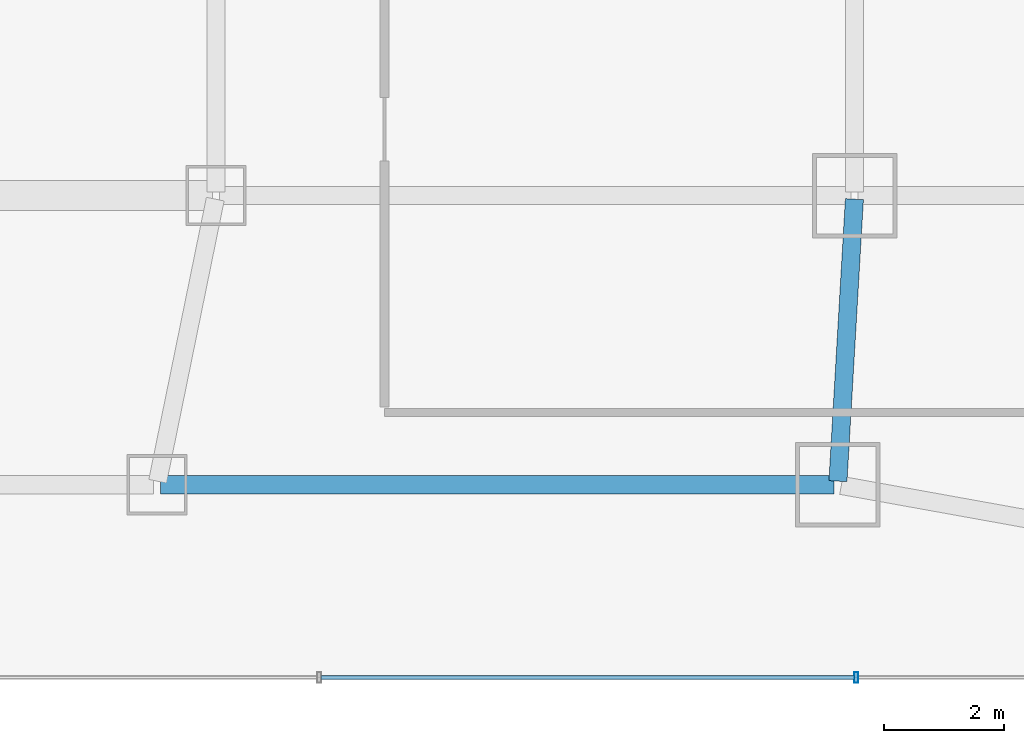
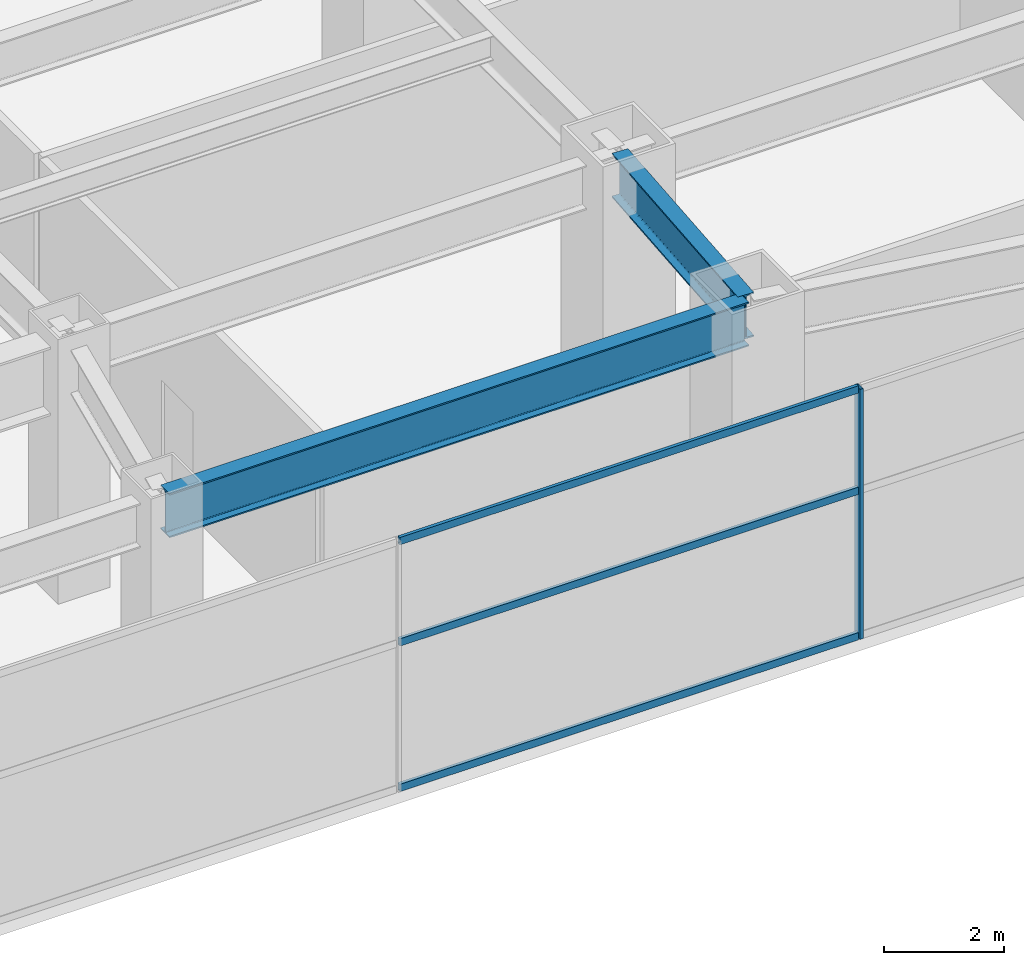
# One storey, part 15 of 52: 4 members, 2 beams, 1 element without a shape of its own.
"""IFC4 building model written with IfcOpenShell, lengths in metres."""

from ifc_helpers import new_model, si_unit, direction, frame, origin, origin_2d, place, context, subcontext, project, spatial, hollow_rectangle, i_section, extrude, material, material_profile, profile_set, type_object, element, aggregate, save


model = new_model("IFC4")

# Units and contexts
model_context = context("Model", 3, precision=1e-05, world=origin(), true_north=direction((0.0, 1.0)))
body_context = subcontext(model_context, "Body", "Model", "MODEL_VIEW")
ifc_project = project(units=[si_unit("LENGTHUNIT", "METRE"), si_unit("AREAUNIT", "SQUARE_METRE"), si_unit("VOLUMEUNIT", "CUBIC_METRE"), si_unit("PLANEANGLEUNIT", "RADIAN"), si_unit("MASSUNIT", "GRAM", prefix="KILO")], contexts=[model_context])

# Site, building, storey
site_placement = place(None, origin())
site = spatial("IfcSite", under=ifc_project, at=site_placement, CompositionType="ELEMENT")
building_placement = place(site_placement, origin())
building = spatial("IfcBuilding", under=site, at=building_placement, Name="Saevonmaru Cultural Tower", CompositionType="ELEMENT")
storey_placement = place(building_placement, frame((0.0, 0.0, 16.800048828125)))
storey = spatial("IfcBuildingStorey", under=building, at=storey_placement, Name="L03", CompositionType="ELEMENT", Elevation=16.800048828125)

# Beams
ifc_material_1 = material(Name="Steel SM420", Category="steel")
ifc_material_profile_1 = material_profile(ifc_material_1, i_section(OverallWidth=0.300048828125, OverallDepth=0.89990234375, WebThickness=0.01611328125, FlangeThickness=0.028076171875, FilletRadius=0.028076171875, at=origin_2d()), Name="H-900x300x16x28")
ifc_profile_set_1 = profile_set([ifc_material_profile_1], Name="Steel SM420")
beam_type = type_object("IfcBeamType", Name="BM-G-H900", PredefinedType="BEAM", material=ifc_profile_set_1)
beam_1_placement = place(storey_placement, frame((47.5234375, 3.260009765625, 4.64990234375), z_axis=(0.058221363278, 0.998303697708, 0.0), x_axis=(-0.998303697708, 0.058221363278, 0.0)))
element("IfcBeam", 1, at=beam_1_placement, inside=storey, type_object=beam_type, Name="L03 Podium Girder NS4-1", PredefinedType="BEAM", context=body_context, shape_type="SweptSolid", body=[
    extrude(i_section(OverallWidth=0.300048828125, OverallDepth=0.89990234375, WebThickness=0.01611328125, FlangeThickness=0.028076171875, FilletRadius=0.028076171875, at=origin_2d()), origin(), (0.0, 0.0, 1.0), 4.688232421875),
])
beam_2_placement = place(storey_placement, frame((36.280029296875, 3.199951171875, 4.64990234375), z_axis=(1.0, 0.0, 0.0), x_axis=(0.0, 1.0, 0.0)))
element("IfcBeam", 2, at=beam_2_placement, inside=storey, type_object=beam_type, Name="BM-POD-EW-E-0-L03", PredefinedType="BEAM", context=body_context, shape_type="SweptSolid", body=[
    extrude(i_section(OverallWidth=0.300048828125, OverallDepth=0.89990234375, WebThickness=0.01611328125, FlangeThickness=0.028076171875, FilletRadius=0.028076171875, at=origin_2d()), origin(), (0.0, 0.0, 1.0), 11.179931640625),
])

# Curtain wall, members
ifc_material_2 = material(Name="Satin Bronze Anodised Aluminium", Category="aluminium")
curtain_wall_type = type_object("IfcCurtainWallType", Name="CW-POD-GLZ", PredefinedType="NOTDEFINED", material=ifc_material_2)
curtain_wall_placement = place(storey_placement, origin())
curtain_wall = element("IfcCurtainWall", 3, at=curtain_wall_placement, inside=storey, type_object=curtain_wall_type, Name="L03 South Grand Foyer Curtain Wall", PredefinedType="NOTDEFINED")
ifc_material_profile_2 = material_profile(ifc_material_2, hollow_rectangle(XDim=0.06494140625, YDim=0.179931640625, WallThickness=0.00390625, at=origin_2d()), Name="ALU-MULL-180x65x4")
ifc_profile_set_2 = profile_set([ifc_material_profile_2], Name="Satin Bronze Anodised Aluminium")
member_type_1 = type_object("IfcMemberType", Name="ML-CW-180x65", PredefinedType="MULLION", material=ifc_profile_set_2)
member_1_placement = place(storey_placement, frame((47.82666015625, 0.0, 0.0), z_axis=(0.0, 0.0, 1.0), x_axis=(1.0, 0.0, 0.0)))
member_1 = element("IfcMember", 4, at=member_1_placement, type_object=member_type_1, Name="CW-POD-S-L03 mullion 6", PredefinedType="MULLION", context=body_context, shape_type="SweptSolid", body=[
    extrude(hollow_rectangle(XDim=0.06494140625, YDim=0.179931640625, WallThickness=0.00390625, at=origin_2d()), origin(), (0.0, 0.0, 1.0), 5.099853515625),
])
ifc_material_profile_3 = material_profile(ifc_material_2, hollow_rectangle(XDim=0.06494140625, YDim=0.14990234375, WallThickness=0.00390625, at=origin_2d()), Name="ALU-TRAN-150x65x4")
ifc_profile_set_3 = profile_set([ifc_material_profile_3], Name="Satin Bronze Anodised Aluminium")
member_type_2 = type_object("IfcMemberType", Name="TR-CW-150x65", PredefinedType="USERDEFINED", material=ifc_profile_set_3)
member_2_placement = place(storey_placement, frame((38.94580078125, 0.0, 0.032470703125), z_axis=(1.0, 0.0, 0.0), x_axis=(0.0, 1.0, 0.0)))
member_2 = element("IfcMember", 5, at=member_2_placement, type_object=member_type_2, Name="CW-POD-S-L03 transom 5.1", ObjectType="TRANSOM", PredefinedType="USERDEFINED", context=body_context, shape_type="SweptSolid", body=[
    extrude(hollow_rectangle(XDim=0.06494140625, YDim=0.14990234375, WallThickness=0.00390625, at=origin_2d()), origin(), (0.0, 0.0, 1.0), 8.848388671875),
])
member_3_placement = place(storey_placement, frame((38.94580078125, 0.0, 3.0), z_axis=(1.0, 0.0, 0.0), x_axis=(0.0, 1.0, 0.0)))
member_3 = element("IfcMember", 6, at=member_3_placement, type_object=member_type_2, Name="CW-POD-S-L03 transom 5.2", ObjectType="TRANSOM", PredefinedType="USERDEFINED", context=body_context, shape_type="SweptSolid", body=[
    extrude(hollow_rectangle(XDim=0.06494140625, YDim=0.14990234375, WallThickness=0.00390625, at=origin_2d()), origin(), (0.0, 0.0, 1.0), 8.848388671875),
])
member_4_placement = place(storey_placement, frame((38.94580078125, 0.0, 5.0673828125), z_axis=(1.0, 0.0, 0.0), x_axis=(0.0, 1.0, 0.0)))
member_4 = element("IfcMember", 7, at=member_4_placement, type_object=member_type_2, Name="CW-POD-S-L03 transom 5.3", ObjectType="TRANSOM", PredefinedType="USERDEFINED", context=body_context, shape_type="SweptSolid", body=[
    extrude(hollow_rectangle(XDim=0.06494140625, YDim=0.14990234375, WallThickness=0.00390625, at=origin_2d()), origin(), (0.0, 0.0, 1.0), 8.848388671875),
])
aggregate(curtain_wall, [member_1, member_2, member_3, member_4])

save(model, "model.ifc")
